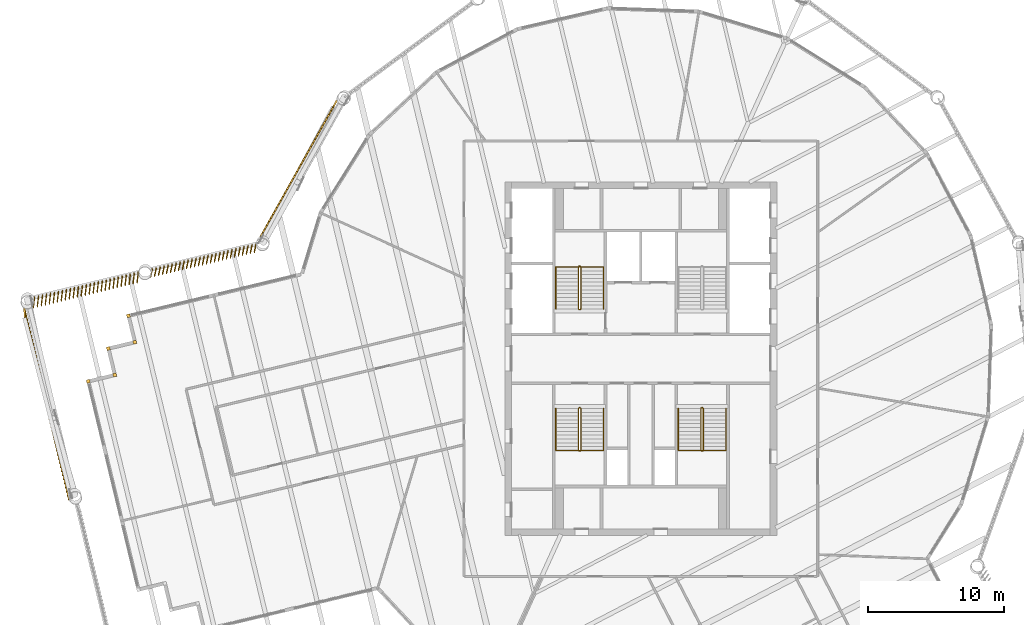
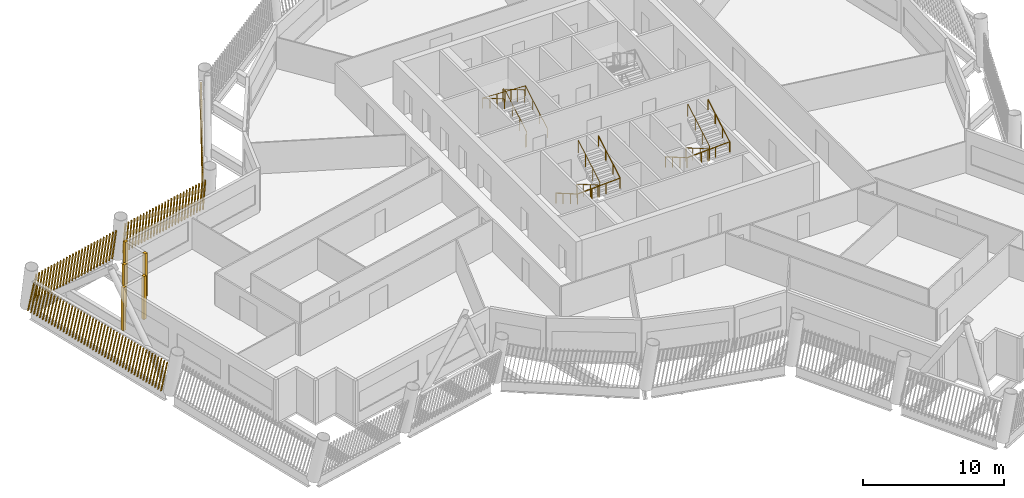
# One storey, part 19 of 22: 9 shading devices, 6 railings.
"""IFC4 building model written with IfcOpenShell, lengths in metres."""

from ifc_helpers import new_model, si_unit, direction, frame, frame_2d, origin, origin_2d, place, context, subcontext, project, spatial, rectangle, circle, composite_profile, extrude, material, type_object, element, save


model = new_model("IFC4")

# Units and contexts
model_context = context("Model", 3, precision=1e-05, world=origin(), true_north=direction((0.0, 1.0)))
body_context = subcontext(model_context, "Body", "Model", "MODEL_VIEW")
ifc_project = project(units=[si_unit("LENGTHUNIT", "METRE"), si_unit("AREAUNIT", "SQUARE_METRE"), si_unit("VOLUMEUNIT", "CUBIC_METRE"), si_unit("PLANEANGLEUNIT", "RADIAN"), si_unit("MASSUNIT", "GRAM", prefix="KILO")], contexts=[model_context])

# Site, building, storey
site_placement = place(None, origin())
site = spatial("IfcSite", under=ifc_project, at=site_placement, CompositionType="ELEMENT")
building_placement = place(site_placement, origin())
building = spatial("IfcBuilding", under=site, at=building_placement, Name="Tarsis Ring Headquarters", CompositionType="ELEMENT")
storey_placement = place(building_placement, frame((0.0, 0.0, 339.199951171875)))
storey = spatial("IfcBuildingStorey", under=building, at=storey_placement, Name="L80", CompositionType="ELEMENT", Elevation=339.199951171875)

# Railings
ifc_material_1 = material(Name="Steel S355", Category="steel")
railing_type_1 = type_object("IfcRailingType", Name="Core stair guard 1100", PredefinedType="GUARDRAIL", material=ifc_material_1)
railing_1_placement = place(storey_placement, frame((-4.5400390625, 3.610107421875, 0.0)))
element("IfcRailing", 1, at=railing_1_placement, inside=storey, type_object=railing_type_1, Name="L80 ST1 stair guard 1", PredefinedType="GUARDRAIL", context=body_context, shape_type="SweptSolid", body=[
    extrude(circle(Radius=0.02392578125, at=origin_2d()), frame((0.0, 0.0, 1.076171875), z_axis=(1.0, 0.0, 0.0), x_axis=(0.0, 1.0, 0.0)), (0.0, 0.0, 1.0), 0.080078125),
    extrude(circle(Radius=0.02392578125, at=origin_2d()), frame((0.080078125, 0.0, 1.076171875), z_axis=(0.282336740067, 0.280959487676, 0.917250092119), x_axis=(-0.705375805398, 0.708833529934, 0.0)), (0.0, 0.0, 1.0), 0.17724609375),
    extrude(circle(Radius=0.02392578125, at=origin_2d()), frame((0.130126953125, 0.0498046875, 1.23876953125), z_axis=(0.0, 0.864920483161, 0.501908913857), x_axis=(-1.0, 0.0, 0.0)), (0.0, 0.0, 1.0), 3.56103515625),
    extrude(circle(Radius=0.02392578125, at=origin_2d()), frame((0.130126953125, 3.1298828125, 3.02587890625), z_axis=(-0.707106781187, 0.707106781187, 0.0), x_axis=(-0.707106781187, -0.707106781187, 0.0)), (0.0, 0.0, 1.0), 0.07080078125),
    extrude(circle(Radius=0.02392578125, at=origin_2d()), frame((0.080078125, 3.179931640625, 3.02587890625), z_axis=(-1.0, 0.0, 0.0), x_axis=(0.0, -1.0, 0.0)), (0.0, 0.0, 1.0), 0.080078125),
    extrude(circle(Radius=0.02392578125, at=origin_2d()), frame((0.0, 3.179931640625, 3.02587890625), z_axis=(-0.282227285176, -0.282227285176, 0.916894497205), x_axis=(0.707106781187, -0.707106781187, 0.0)), (0.0, 0.0, 1.0), 0.17724609375),
    extrude(circle(Radius=0.02392578125, at=origin_2d()), frame((-0.050048828125, 3.1298828125, 3.1884765625), z_axis=(0.0, -0.864890721111, 0.501960198159), x_axis=(1.0, 0.0, 0.0)), (0.0, 0.0, 1.0), 3.561279296875),
    extrude(circle(Radius=0.02099609375, at=origin_2d()), origin(), (0.0, 0.0, 1.0), 1.052001953125),
    extrude(circle(Radius=0.02099609375, at=origin_2d()), frame((0.080078125, 0.0, 0.0)), (0.0, 0.0, 1.0), 1.052001953125),
    extrude(circle(Radius=0.02099609375, at=origin_2d()), frame((0.130126953125, 0.0498046875, 0.16259765625)), (0.0, 0.0, 1.0), 1.052001953125),
    extrude(circle(Radius=0.02099609375, at=origin_2d()), frame((0.130126953125, 1.076416015625, 0.75830078125)), (0.0, 0.0, 1.0), 1.052001953125),
    extrude(circle(Radius=0.02099609375, at=origin_2d()), frame((0.130126953125, 2.103271484375, 1.354248046875)), (0.0, 0.0, 1.0), 1.052001953125),
    extrude(circle(Radius=0.02099609375, at=origin_2d()), frame((0.130126953125, 3.1298828125, 1.949951171875)), (0.0, 0.0, 1.0), 1.052001953125),
    extrude(circle(Radius=0.02099609375, at=origin_2d()), frame((0.080078125, 3.179931640625, 1.949951171875)), (0.0, 0.0, 1.0), 1.052001953125),
    extrude(circle(Radius=0.02099609375, at=origin_2d()), frame((0.0, 3.179931640625, 1.949951171875)), (0.0, 0.0, 1.0), 1.052001953125),
    extrude(circle(Radius=0.02099609375, at=origin_2d()), frame((-0.050048828125, 3.1298828125, 2.112548828125)), (0.0, 0.0, 1.0), 1.052001953125),
    extrude(circle(Radius=0.02099609375, at=origin_2d()), frame((-0.050048828125, 2.103271484375, 2.70849609375)), (0.0, 0.0, 1.0), 1.052001953125),
    extrude(circle(Radius=0.02099609375, at=origin_2d()), frame((-0.050048828125, 1.076416015625, 3.30419921875)), (0.0, 0.0, 1.0), 1.052001953125),
    extrude(circle(Radius=0.02099609375, at=origin_2d()), frame((-0.050048828125, 0.0498046875, 3.900146484375)), (0.0, 0.0, 1.0), 1.052001953125),
])
railing_2_placement = place(storey_placement, frame((-4.4599609375, -3.610107421875, 0.0)))
element("IfcRailing", 2, at=railing_2_placement, inside=storey, type_object=railing_type_1, Name="L80 ST3 stair guard 1", PredefinedType="GUARDRAIL", context=body_context, shape_type="SweptSolid", body=[
    extrude(circle(Radius=0.02392578125, at=origin_2d()), frame((0.0, 0.0, 1.076171875), z_axis=(-1.0, 0.0, 0.0), x_axis=(0.0, -1.0, 0.0)), (0.0, 0.0, 1.0), 0.080078125),
    extrude(circle(Radius=0.02392578125, at=origin_2d()), frame((-0.080078125, 0.0, 1.076171875), z_axis=(-0.282336740067, -0.280959487676, 0.917250092119), x_axis=(0.705375805398, -0.708833529934, 0.0)), (0.0, 0.0, 1.0), 0.17724609375),
    extrude(circle(Radius=0.02392578125, at=origin_2d()), frame((-0.130126953125, -0.0498046875, 1.23876953125), z_axis=(0.0, -0.864920483161, 0.501908913857), x_axis=(1.0, 0.0, 0.0)), (0.0, 0.0, 1.0), 3.56103515625),
    extrude(circle(Radius=0.02392578125, at=origin_2d()), frame((-0.130126953125, -3.1298828125, 3.02587890625), z_axis=(0.707106781187, -0.707106781187, 0.0), x_axis=(0.707106781187, 0.707106781187, 0.0)), (0.0, 0.0, 1.0), 0.07080078125),
    extrude(circle(Radius=0.02392578125, at=origin_2d()), frame((-0.080078125, -3.179931640625, 3.02587890625), z_axis=(1.0, 0.0, 0.0), x_axis=(0.0, 1.0, 0.0)), (0.0, 0.0, 1.0), 0.080078125),
    extrude(circle(Radius=0.02392578125, at=origin_2d()), frame((0.0, -3.179931640625, 3.02587890625), z_axis=(0.282227285176, 0.282227285176, 0.916894497205), x_axis=(-0.707106781187, 0.707106781187, 0.0)), (0.0, 0.0, 1.0), 0.17724609375),
    extrude(circle(Radius=0.02392578125, at=origin_2d()), frame((0.050048828125, -3.1298828125, 3.1884765625), z_axis=(0.0, 0.864890721111, 0.501960198159), x_axis=(-1.0, 0.0, 0.0)), (0.0, 0.0, 1.0), 3.561279296875),
    extrude(circle(Radius=0.02099609375, at=origin_2d()), origin(), (0.0, 0.0, 1.0), 1.052001953125),
    extrude(circle(Radius=0.02099609375, at=origin_2d()), frame((-0.080078125, 0.0, 0.0)), (0.0, 0.0, 1.0), 1.052001953125),
    extrude(circle(Radius=0.02099609375, at=origin_2d()), frame((-0.130126953125, -0.0498046875, 0.16259765625)), (0.0, 0.0, 1.0), 1.052001953125),
    extrude(circle(Radius=0.02099609375, at=origin_2d()), frame((-0.130126953125, -1.076416015625, 0.75830078125)), (0.0, 0.0, 1.0), 1.052001953125),
    extrude(circle(Radius=0.02099609375, at=origin_2d()), frame((-0.130126953125, -2.103271484375, 1.354248046875)), (0.0, 0.0, 1.0), 1.052001953125),
    extrude(circle(Radius=0.02099609375, at=origin_2d()), frame((-0.130126953125, -3.1298828125, 1.949951171875)), (0.0, 0.0, 1.0), 1.052001953125),
    extrude(circle(Radius=0.02099609375, at=origin_2d()), frame((-0.080078125, -3.179931640625, 1.949951171875)), (0.0, 0.0, 1.0), 1.052001953125),
    extrude(circle(Radius=0.02099609375, at=origin_2d()), frame((0.0, -3.179931640625, 1.949951171875)), (0.0, 0.0, 1.0), 1.052001953125),
    extrude(circle(Radius=0.02099609375, at=origin_2d()), frame((0.050048828125, -3.1298828125, 2.112548828125)), (0.0, 0.0, 1.0), 1.052001953125),
    extrude(circle(Radius=0.02099609375, at=origin_2d()), frame((0.050048828125, -2.103271484375, 2.70849609375)), (0.0, 0.0, 1.0), 1.052001953125),
    extrude(circle(Radius=0.02099609375, at=origin_2d()), frame((0.050048828125, -1.076416015625, 3.30419921875)), (0.0, 0.0, 1.0), 1.052001953125),
    extrude(circle(Radius=0.02099609375, at=origin_2d()), frame((0.050048828125, -0.0498046875, 3.900146484375)), (0.0, 0.0, 1.0), 1.052001953125),
])
railing_3_placement = place(storey_placement, frame((4.5400390625, -3.610107421875, 0.0)))
element("IfcRailing", 3, at=railing_3_placement, inside=storey, type_object=railing_type_1, Name="L80 ST4 stair guard 1", PredefinedType="GUARDRAIL", context=body_context, shape_type="SweptSolid", body=[
    extrude(circle(Radius=0.02392578125, at=origin_2d()), frame((0.0, 0.0, 1.076171875), z_axis=(-1.0, 0.0, 0.0), x_axis=(0.0, -1.0, 0.0)), (0.0, 0.0, 1.0), 0.080078125),
    extrude(circle(Radius=0.02392578125, at=origin_2d()), frame((-0.080078125, 0.0, 1.076171875), z_axis=(-0.282336740067, -0.280959487676, 0.917250092119), x_axis=(0.705375805398, -0.708833529934, 0.0)), (0.0, 0.0, 1.0), 0.17724609375),
    extrude(circle(Radius=0.02392578125, at=origin_2d()), frame((-0.130126953125, -0.0498046875, 1.23876953125), z_axis=(0.0, -0.864920483161, 0.501908913857), x_axis=(1.0, 0.0, 0.0)), (0.0, 0.0, 1.0), 3.56103515625),
    extrude(circle(Radius=0.02392578125, at=origin_2d()), frame((-0.130126953125, -3.1298828125, 3.02587890625), z_axis=(0.707106781187, -0.707106781187, 0.0), x_axis=(0.707106781187, 0.707106781187, 0.0)), (0.0, 0.0, 1.0), 0.07080078125),
    extrude(circle(Radius=0.02392578125, at=origin_2d()), frame((-0.080078125, -3.179931640625, 3.02587890625), z_axis=(1.0, 0.0, 0.0), x_axis=(0.0, 1.0, 0.0)), (0.0, 0.0, 1.0), 0.080078125),
    extrude(circle(Radius=0.02392578125, at=origin_2d()), frame((0.0, -3.179931640625, 3.02587890625), z_axis=(0.282227285176, 0.282227285176, 0.916894497205), x_axis=(-0.707106781187, 0.707106781187, 0.0)), (0.0, 0.0, 1.0), 0.17724609375),
    extrude(circle(Radius=0.02392578125, at=origin_2d()), frame((0.050048828125, -3.1298828125, 3.1884765625), z_axis=(0.0, 0.864890721111, 0.501960198159), x_axis=(-1.0, 0.0, 0.0)), (0.0, 0.0, 1.0), 3.561279296875),
    extrude(circle(Radius=0.02099609375, at=origin_2d()), origin(), (0.0, 0.0, 1.0), 1.052001953125),
    extrude(circle(Radius=0.02099609375, at=origin_2d()), frame((-0.080078125, 0.0, 0.0)), (0.0, 0.0, 1.0), 1.052001953125),
    extrude(circle(Radius=0.02099609375, at=origin_2d()), frame((-0.130126953125, -0.0498046875, 0.16259765625)), (0.0, 0.0, 1.0), 1.052001953125),
    extrude(circle(Radius=0.02099609375, at=origin_2d()), frame((-0.130126953125, -1.076416015625, 0.75830078125)), (0.0, 0.0, 1.0), 1.052001953125),
    extrude(circle(Radius=0.02099609375, at=origin_2d()), frame((-0.130126953125, -2.103271484375, 1.354248046875)), (0.0, 0.0, 1.0), 1.052001953125),
    extrude(circle(Radius=0.02099609375, at=origin_2d()), frame((-0.130126953125, -3.1298828125, 1.949951171875)), (0.0, 0.0, 1.0), 1.052001953125),
    extrude(circle(Radius=0.02099609375, at=origin_2d()), frame((-0.080078125, -3.179931640625, 1.949951171875)), (0.0, 0.0, 1.0), 1.052001953125),
    extrude(circle(Radius=0.02099609375, at=origin_2d()), frame((0.0, -3.179931640625, 1.949951171875)), (0.0, 0.0, 1.0), 1.052001953125),
    extrude(circle(Radius=0.02099609375, at=origin_2d()), frame((0.050048828125, -3.1298828125, 2.112548828125)), (0.0, 0.0, 1.0), 1.052001953125),
    extrude(circle(Radius=0.02099609375, at=origin_2d()), frame((0.050048828125, -2.103271484375, 2.70849609375)), (0.0, 0.0, 1.0), 1.052001953125),
    extrude(circle(Radius=0.02099609375, at=origin_2d()), frame((0.050048828125, -1.076416015625, 3.30419921875)), (0.0, 0.0, 1.0), 1.052001953125),
    extrude(circle(Radius=0.02099609375, at=origin_2d()), frame((0.050048828125, -0.0498046875, 3.900146484375)), (0.0, 0.0, 1.0), 1.052001953125),
])
railing_type_2 = type_object("IfcRailingType", Name="Core stair handrail 900", PredefinedType="HANDRAIL", material=ifc_material_1)
railing_4_placement = place(storey_placement, frame((-2.75, 3.659912109375, 0.16259765625)))
element("IfcRailing", 4, at=railing_4_placement, inside=storey, type_object=railing_type_2, Name="L80 ST1 stair handrail 1", PredefinedType="HANDRAIL", context=body_context, shape_type="SweptSolid", body=[
    extrude(circle(Radius=0.02392578125, at=origin_2d()), frame((0.0, 0.0, 0.8759765625), z_axis=(0.0, 0.864920483161, 0.501908913857), x_axis=(-1.0, 0.0, 0.0)), (0.0, 0.0, 1.0), 3.56103515625),
    extrude(circle(Radius=0.02392578125, at=origin_2d()), frame((0.0, 3.080078125, 2.6630859375), z_axis=(-0.998922641604, 0.0, 0.046406422943), x_axis=(0.0, -1.0, 0.0)), (0.0, 0.0, 1.0), 3.503662109375),
    extrude(circle(Radius=0.02392578125, at=origin_2d()), frame((-3.5, 3.080078125, 2.82568359375), z_axis=(0.0, -0.864890721111, 0.501960198159), x_axis=(1.0, 0.0, 0.0)), (0.0, 0.0, 1.0), 3.561279296875),
    extrude(circle(Radius=0.02099609375, at=origin_2d()), origin(), (0.0, 0.0, 1.0), 0.851806640625),
    extrude(circle(Radius=0.02099609375, at=origin_2d()), frame((0.0, 1.026611328125, 0.595703125)), (0.0, 0.0, 1.0), 0.851806640625),
    extrude(circle(Radius=0.02099609375, at=origin_2d()), frame((0.0, 2.053466796875, 1.191650390625)), (0.0, 0.0, 1.0), 0.851806640625),
    extrude(circle(Radius=0.02099609375, at=origin_2d()), frame((0.0, 3.080078125, 1.787353515625)), (0.0, 0.0, 1.0), 0.851806640625),
    extrude(circle(Radius=0.02099609375, at=origin_2d()), frame((-1.166748046875, 3.080078125, 1.841552734375)), (0.0, 0.0, 1.0), 0.851806640625),
    extrude(circle(Radius=0.02099609375, at=origin_2d()), frame((-2.333251953125, 3.080078125, 1.895751953125)), (0.0, 0.0, 1.0), 0.851806640625),
    extrude(circle(Radius=0.02099609375, at=origin_2d()), frame((-3.5, 3.080078125, 1.949951171875)), (0.0, 0.0, 1.0), 0.851806640625),
    extrude(circle(Radius=0.02099609375, at=origin_2d()), frame((-3.5, 2.053466796875, 2.5458984375)), (0.0, 0.0, 1.0), 0.851806640625),
    extrude(circle(Radius=0.02099609375, at=origin_2d()), frame((-3.5, 1.026611328125, 3.1416015625)), (0.0, 0.0, 1.0), 0.851806640625),
    extrude(circle(Radius=0.02099609375, at=origin_2d()), frame((-3.5, 0.0, 3.737548828125)), (0.0, 0.0, 1.0), 0.851806640625),
])
railing_5_placement = place(storey_placement, frame((-6.25, -3.659912109375, 0.16259765625)))
element("IfcRailing", 5, at=railing_5_placement, inside=storey, type_object=railing_type_2, Name="L80 ST3 stair handrail 1", PredefinedType="HANDRAIL", context=body_context, shape_type="SweptSolid", body=[
    extrude(circle(Radius=0.02392578125, at=origin_2d()), frame((0.0, 0.0, 0.8759765625), z_axis=(0.0, -0.864920483161, 0.501908913857), x_axis=(1.0, 0.0, 0.0)), (0.0, 0.0, 1.0), 3.56103515625),
    extrude(circle(Radius=0.02392578125, at=origin_2d()), frame((0.0, -3.080078125, 2.6630859375), z_axis=(0.998922641604, 0.0, 0.046406422943), x_axis=(0.0, 1.0, 0.0)), (0.0, 0.0, 1.0), 3.503662109375),
    extrude(circle(Radius=0.02392578125, at=origin_2d()), frame((3.5, -3.080078125, 2.82568359375), z_axis=(0.0, 0.864890721111, 0.501960198159), x_axis=(-1.0, 0.0, 0.0)), (0.0, 0.0, 1.0), 3.561279296875),
    extrude(circle(Radius=0.02099609375, at=origin_2d()), origin(), (0.0, 0.0, 1.0), 0.851806640625),
    extrude(circle(Radius=0.02099609375, at=origin_2d()), frame((0.0, -1.026611328125, 0.595703125)), (0.0, 0.0, 1.0), 0.851806640625),
    extrude(circle(Radius=0.02099609375, at=origin_2d()), frame((0.0, -2.053466796875, 1.191650390625)), (0.0, 0.0, 1.0), 0.851806640625),
    extrude(circle(Radius=0.02099609375, at=origin_2d()), frame((0.0, -3.080078125, 1.787353515625)), (0.0, 0.0, 1.0), 0.851806640625),
    extrude(circle(Radius=0.02099609375, at=origin_2d()), frame((1.166748046875, -3.080078125, 1.841552734375)), (0.0, 0.0, 1.0), 0.851806640625),
    extrude(circle(Radius=0.02099609375, at=origin_2d()), frame((2.333251953125, -3.080078125, 1.895751953125)), (0.0, 0.0, 1.0), 0.851806640625),
    extrude(circle(Radius=0.02099609375, at=origin_2d()), frame((3.5, -3.080078125, 1.949951171875)), (0.0, 0.0, 1.0), 0.851806640625),
    extrude(circle(Radius=0.02099609375, at=origin_2d()), frame((3.5, -2.053466796875, 2.5458984375)), (0.0, 0.0, 1.0), 0.851806640625),
    extrude(circle(Radius=0.02099609375, at=origin_2d()), frame((3.5, -1.026611328125, 3.1416015625)), (0.0, 0.0, 1.0), 0.851806640625),
    extrude(circle(Radius=0.02099609375, at=origin_2d()), frame((3.5, 0.0, 3.737548828125)), (0.0, 0.0, 1.0), 0.851806640625),
])
railing_6_placement = place(storey_placement, frame((2.75, -3.659912109375, 0.16259765625)))
element("IfcRailing", 6, at=railing_6_placement, inside=storey, type_object=railing_type_2, Name="L80 ST4 stair handrail 1", PredefinedType="HANDRAIL", context=body_context, shape_type="SweptSolid", body=[
    extrude(circle(Radius=0.02392578125, at=origin_2d()), frame((0.0, 0.0, 0.8759765625), z_axis=(0.0, -0.864920483161, 0.501908913857), x_axis=(1.0, 0.0, 0.0)), (0.0, 0.0, 1.0), 3.56103515625),
    extrude(circle(Radius=0.02392578125, at=origin_2d()), frame((0.0, -3.080078125, 2.6630859375), z_axis=(0.998922641604, 0.0, 0.046406422943), x_axis=(0.0, 1.0, 0.0)), (0.0, 0.0, 1.0), 3.503662109375),
    extrude(circle(Radius=0.02392578125, at=origin_2d()), frame((3.5, -3.080078125, 2.82568359375), z_axis=(0.0, 0.864890721111, 0.501960198159), x_axis=(-1.0, 0.0, 0.0)), (0.0, 0.0, 1.0), 3.561279296875),
    extrude(circle(Radius=0.02099609375, at=origin_2d()), origin(), (0.0, 0.0, 1.0), 0.851806640625),
    extrude(circle(Radius=0.02099609375, at=origin_2d()), frame((0.0, -1.026611328125, 0.595703125)), (0.0, 0.0, 1.0), 0.851806640625),
    extrude(circle(Radius=0.02099609375, at=origin_2d()), frame((0.0, -2.053466796875, 1.191650390625)), (0.0, 0.0, 1.0), 0.851806640625),
    extrude(circle(Radius=0.02099609375, at=origin_2d()), frame((0.0, -3.080078125, 1.787353515625)), (0.0, 0.0, 1.0), 0.851806640625),
    extrude(circle(Radius=0.02099609375, at=origin_2d()), frame((1.166748046875, -3.080078125, 1.841552734375)), (0.0, 0.0, 1.0), 0.851806640625),
    extrude(circle(Radius=0.02099609375, at=origin_2d()), frame((2.333251953125, -3.080078125, 1.895751953125)), (0.0, 0.0, 1.0), 0.851806640625),
    extrude(circle(Radius=0.02099609375, at=origin_2d()), frame((3.5, -3.080078125, 1.949951171875)), (0.0, 0.0, 1.0), 0.851806640625),
    extrude(circle(Radius=0.02099609375, at=origin_2d()), frame((3.5, -2.053466796875, 2.5458984375)), (0.0, 0.0, 1.0), 0.851806640625),
    extrude(circle(Radius=0.02099609375, at=origin_2d()), frame((3.5, -1.026611328125, 3.1416015625)), (0.0, 0.0, 1.0), 0.851806640625),
    extrude(circle(Radius=0.02099609375, at=origin_2d()), frame((3.5, 0.0, 3.737548828125)), (0.0, 0.0, 1.0), 0.851806640625),
])

# Shading devices
ifc_material_2 = material(Name="Terracotta baguette", Category="masonry")
shading_device_type_1 = type_object("IfcShadingDeviceType", Name="Terracotta baguette screen", PredefinedType="USERDEFINED", material=ifc_material_2)
shading_device_1_placement = place(storey_placement, frame((-22.34375, 18.977294921875, 0.0), z_axis=(0.0, 0.0, 1.0), x_axis=(-0.489093868692, -0.872230059685, 0.0)))
element("IfcShadingDevice", 7, at=shading_device_1_placement, inside=storey, type_object=shading_device_type_1, Name="Baguette screen L80-14", ObjectType="Terracotta baguette screen", PredefinedType="USERDEFINED", context=body_context, shape_type="SweptSolid", body=[
    extrude(composite_profile([rectangle(XDim=0.06005859375, YDim=0.1201171875, at=frame_2d((0.030029296875, 0.0))), rectangle(XDim=0.06005859375, YDim=0.1201171875, at=frame_2d((0.33251953125, 0.0))), rectangle(XDim=0.06005859375, YDim=0.1201171875, at=frame_2d((0.634765625, 0.0))), rectangle(XDim=0.06005859375, YDim=0.1201171875, at=frame_2d((0.937255859375, 0.0))), rectangle(XDim=0.06005859375, YDim=0.1201171875, at=frame_2d((1.239501953125, 0.0))), rectangle(XDim=0.06005859375, YDim=0.1201171875, at=frame_2d((1.5419921875, 0.0))), rectangle(XDim=0.06005859375, YDim=0.1201171875, at=frame_2d((1.844482421875, 0.0))), rectangle(XDim=0.06005859375, YDim=0.1201171875, at=frame_2d((2.146728515625, 0.0))), rectangle(XDim=0.06005859375, YDim=0.1201171875, at=frame_2d((2.44921875, 0.0))), rectangle(XDim=0.06005859375, YDim=0.1201171875, at=frame_2d((2.751708984375, 0.0))), rectangle(XDim=0.06005859375, YDim=0.1201171875, at=frame_2d((3.053955078125, 0.0))), rectangle(XDim=0.06005859375, YDim=0.1201171875, at=frame_2d((3.3564453125, 0.0))), rectangle(XDim=0.06005859375, YDim=0.1201171875, at=frame_2d((3.65869140625, 0.0))), rectangle(XDim=0.06005859375, YDim=0.1201171875, at=frame_2d((3.961181640625, 0.0))), rectangle(XDim=0.06005859375, YDim=0.1201171875, at=frame_2d((4.263671875, 0.0))), rectangle(XDim=0.06005859375, YDim=0.1201171875, at=frame_2d((4.56591796875, 0.0))), rectangle(XDim=0.06005859375, YDim=0.1201171875, at=frame_2d((4.868408203125, 0.0))), rectangle(XDim=0.06005859375, YDim=0.1201171875, at=frame_2d((5.1708984375, 0.0))), rectangle(XDim=0.06005859375, YDim=0.1201171875, at=frame_2d((5.47314453125, 0.0))), rectangle(XDim=0.06005859375, YDim=0.1201171875, at=frame_2d((5.775634765625, 0.0))), rectangle(XDim=0.06005859375, YDim=0.1201171875, at=frame_2d((6.077880859375, 0.0))), rectangle(XDim=0.06005859375, YDim=0.1201171875, at=frame_2d((6.38037109375, 0.0))), rectangle(XDim=0.06005859375, YDim=0.1201171875, at=frame_2d((6.682861328125, 0.0))), rectangle(XDim=0.06005859375, YDim=0.1201171875, at=frame_2d((6.985107421875, 0.0))), rectangle(XDim=0.06005859375, YDim=0.1201171875, at=frame_2d((7.28759765625, 0.0))), rectangle(XDim=0.06005859375, YDim=0.1201171875, at=frame_2d((7.590087890625, 0.0))), rectangle(XDim=0.06005859375, YDim=0.1201171875, at=frame_2d((7.892333984375, 0.0))), rectangle(XDim=0.06005859375, YDim=0.1201171875, at=frame_2d((8.19482421875, 0.0))), rectangle(XDim=0.06005859375, YDim=0.1201171875, at=frame_2d((8.4970703125, 0.0))), rectangle(XDim=0.06005859375, YDim=0.1201171875, at=frame_2d((8.799560546875, 0.0))), rectangle(XDim=0.06005859375, YDim=0.1201171875, at=frame_2d((9.10205078125, 0.0))), rectangle(XDim=0.06005859375, YDim=0.1201171875, at=frame_2d((9.404296875, 0.0))), rectangle(XDim=0.06005859375, YDim=0.1201171875, at=frame_2d((9.706787109375, 0.0))), rectangle(XDim=0.06005859375, YDim=0.1201171875, at=frame_2d((10.00927734375, 0.0))), rectangle(XDim=0.06005859375, YDim=0.1201171875, at=frame_2d((10.3115234375, 0.0))), rectangle(XDim=0.06005859375, YDim=0.1201171875, at=frame_2d((10.614013671875, 0.0))), rectangle(XDim=0.06005859375, YDim=0.1201171875, at=frame_2d((10.916259765625, 0.0))), rectangle(XDim=0.06005859375, YDim=0.1201171875, at=frame_2d((11.21875, 0.0)))]), origin(), (0.173293517803, 0.001572076721, 0.984868968575), 3.013427734375),
])
shading_device_2_placement = place(storey_placement, frame((-28.2490234375, 8.429443359375, 0.0), z_axis=(0.0, 0.0, 1.0), x_axis=(-0.97228744439, -0.233780276817, 0.0)))
element("IfcShadingDevice", 8, at=shading_device_2_placement, inside=storey, type_object=shading_device_type_1, Name="Baguette screen L80-15", ObjectType="Terracotta baguette screen", PredefinedType="USERDEFINED", context=body_context, shape_type="SweptSolid", body=[
    extrude(composite_profile([rectangle(XDim=0.06005859375, YDim=0.1201171875, at=frame_2d((0.030029296875, 0.0))), rectangle(XDim=0.06005859375, YDim=0.1201171875, at=frame_2d((0.33154296875, 0.0))), rectangle(XDim=0.06005859375, YDim=0.1201171875, at=frame_2d((0.63330078125, 0.0))), rectangle(XDim=0.06005859375, YDim=0.1201171875, at=frame_2d((0.934814453125, 0.0))), rectangle(XDim=0.06005859375, YDim=0.1201171875, at=frame_2d((1.236572265625, 0.0))), rectangle(XDim=0.06005859375, YDim=0.1201171875, at=frame_2d((1.5380859375, 0.0))), rectangle(XDim=0.06005859375, YDim=0.1201171875, at=frame_2d((1.83984375, 0.0))), rectangle(XDim=0.06005859375, YDim=0.1201171875, at=frame_2d((2.141357421875, 0.0))), rectangle(XDim=0.06005859375, YDim=0.1201171875, at=frame_2d((2.443115234375, 0.0))), rectangle(XDim=0.06005859375, YDim=0.1201171875, at=frame_2d((2.74462890625, 0.0))), rectangle(XDim=0.06005859375, YDim=0.1201171875, at=frame_2d((3.04638671875, 0.0))), rectangle(XDim=0.06005859375, YDim=0.1201171875, at=frame_2d((3.347900390625, 0.0))), rectangle(XDim=0.06005859375, YDim=0.1201171875, at=frame_2d((3.649658203125, 0.0))), rectangle(XDim=0.06005859375, YDim=0.1201171875, at=frame_2d((3.951171875, 0.0))), rectangle(XDim=0.06005859375, YDim=0.1201171875, at=frame_2d((4.252685546875, 0.0))), rectangle(XDim=0.06005859375, YDim=0.1201171875, at=frame_2d((4.554443359375, 0.0))), rectangle(XDim=0.06005859375, YDim=0.1201171875, at=frame_2d((4.85595703125, 0.0))), rectangle(XDim=0.06005859375, YDim=0.1201171875, at=frame_2d((5.15771484375, 0.0))), rectangle(XDim=0.06005859375, YDim=0.1201171875, at=frame_2d((5.459228515625, 0.0))), rectangle(XDim=0.06005859375, YDim=0.1201171875, at=frame_2d((5.760986328125, 0.0))), rectangle(XDim=0.06005859375, YDim=0.1201171875, at=frame_2d((6.0625, 0.0))), rectangle(XDim=0.06005859375, YDim=0.1201171875, at=frame_2d((6.3642578125, 0.0))), rectangle(XDim=0.06005859375, YDim=0.1201171875, at=frame_2d((6.665771484375, 0.0))), rectangle(XDim=0.06005859375, YDim=0.1201171875, at=frame_2d((6.967529296875, 0.0))), rectangle(XDim=0.06005859375, YDim=0.1201171875, at=frame_2d((7.26904296875, 0.0))), rectangle(XDim=0.06005859375, YDim=0.1201171875, at=frame_2d((7.57080078125, 0.0))), rectangle(XDim=0.06005859375, YDim=0.1201171875, at=frame_2d((7.872314453125, 0.0)))]), origin(), (0.087126638075, 0.177345584602, 0.980284393714), 3.02734375),
])
shading_device_3_placement = place(storey_placement, frame((-36.904541015625, 6.34814453125, 0.0), z_axis=(0.0, 0.0, 1.0), x_axis=(-0.97228744439, -0.233780276817, 0.0)))
element("IfcShadingDevice", 9, at=shading_device_3_placement, inside=storey, type_object=shading_device_type_1, Name="Baguette screen L80-16", ObjectType="Terracotta baguette screen", PredefinedType="USERDEFINED", context=body_context, shape_type="SweptSolid", body=[
    extrude(composite_profile([rectangle(XDim=0.06005859375, YDim=0.1201171875, at=frame_2d((0.030029296875, 0.0))), rectangle(XDim=0.06005859375, YDim=0.1201171875, at=frame_2d((0.33154296875, 0.0))), rectangle(XDim=0.06005859375, YDim=0.1201171875, at=frame_2d((0.63330078125, 0.0))), rectangle(XDim=0.06005859375, YDim=0.1201171875, at=frame_2d((0.934814453125, 0.0))), rectangle(XDim=0.06005859375, YDim=0.1201171875, at=frame_2d((1.236572265625, 0.0))), rectangle(XDim=0.06005859375, YDim=0.1201171875, at=frame_2d((1.5380859375, 0.0))), rectangle(XDim=0.06005859375, YDim=0.1201171875, at=frame_2d((1.83984375, 0.0))), rectangle(XDim=0.06005859375, YDim=0.1201171875, at=frame_2d((2.141357421875, 0.0))), rectangle(XDim=0.06005859375, YDim=0.1201171875, at=frame_2d((2.443115234375, 0.0))), rectangle(XDim=0.06005859375, YDim=0.1201171875, at=frame_2d((2.74462890625, 0.0))), rectangle(XDim=0.06005859375, YDim=0.1201171875, at=frame_2d((3.04638671875, 0.0))), rectangle(XDim=0.06005859375, YDim=0.1201171875, at=frame_2d((3.347900390625, 0.0))), rectangle(XDim=0.06005859375, YDim=0.1201171875, at=frame_2d((3.649658203125, 0.0))), rectangle(XDim=0.06005859375, YDim=0.1201171875, at=frame_2d((3.951171875, 0.0))), rectangle(XDim=0.06005859375, YDim=0.1201171875, at=frame_2d((4.252685546875, 0.0))), rectangle(XDim=0.06005859375, YDim=0.1201171875, at=frame_2d((4.554443359375, 0.0))), rectangle(XDim=0.06005859375, YDim=0.1201171875, at=frame_2d((4.85595703125, 0.0))), rectangle(XDim=0.06005859375, YDim=0.1201171875, at=frame_2d((5.15771484375, 0.0))), rectangle(XDim=0.06005859375, YDim=0.1201171875, at=frame_2d((5.459228515625, 0.0))), rectangle(XDim=0.06005859375, YDim=0.1201171875, at=frame_2d((5.760986328125, 0.0))), rectangle(XDim=0.06005859375, YDim=0.1201171875, at=frame_2d((6.0625, 0.0))), rectangle(XDim=0.06005859375, YDim=0.1201171875, at=frame_2d((6.3642578125, 0.0))), rectangle(XDim=0.06005859375, YDim=0.1201171875, at=frame_2d((6.665771484375, 0.0))), rectangle(XDim=0.06005859375, YDim=0.1201171875, at=frame_2d((6.967529296875, 0.0))), rectangle(XDim=0.06005859375, YDim=0.1201171875, at=frame_2d((7.26904296875, 0.0))), rectangle(XDim=0.06005859375, YDim=0.1201171875, at=frame_2d((7.57080078125, 0.0))), rectangle(XDim=0.06005859375, YDim=0.1201171875, at=frame_2d((7.872314453125, 0.0)))]), origin(), (0.085717424967, 0.228254044848, 0.969820918555), 3.06005859375),
])
shading_device_4_placement = place(storey_placement, frame((-45.32177734375, 3.81005859375, 0.0), z_axis=(0.0, 0.0, 1.0), x_axis=(0.233794494374, -0.972294954356, 0.0)))
element("IfcShadingDevice", 10, at=shading_device_4_placement, inside=storey, type_object=shading_device_type_1, Name="Baguette screen L80-17", ObjectType="Terracotta baguette screen", PredefinedType="USERDEFINED", context=body_context, shape_type="SweptSolid", body=[
    extrude(composite_profile([rectangle(XDim=0.06005859375, YDim=0.1201171875, at=frame_2d((0.030029296875, 0.0))), rectangle(XDim=0.06005859375, YDim=0.1201171875, at=frame_2d((0.33544921875, 0.0))), rectangle(XDim=0.06005859375, YDim=0.1201171875, at=frame_2d((0.640625, 0.0))), rectangle(XDim=0.06005859375, YDim=0.1201171875, at=frame_2d((0.946044921875, 0.0))), rectangle(XDim=0.06005859375, YDim=0.1201171875, at=frame_2d((1.25146484375, 0.0))), rectangle(XDim=0.06005859375, YDim=0.1201171875, at=frame_2d((1.556640625, 0.0))), rectangle(XDim=0.06005859375, YDim=0.1201171875, at=frame_2d((1.862060546875, 0.0))), rectangle(XDim=0.06005859375, YDim=0.1201171875, at=frame_2d((2.16748046875, 0.0))), rectangle(XDim=0.06005859375, YDim=0.1201171875, at=frame_2d((2.47265625, 0.0))), rectangle(XDim=0.06005859375, YDim=0.1201171875, at=frame_2d((2.778076171875, 0.0))), rectangle(XDim=0.06005859375, YDim=0.1201171875, at=frame_2d((3.08349609375, 0.0))), rectangle(XDim=0.06005859375, YDim=0.1201171875, at=frame_2d((3.388671875, 0.0))), rectangle(XDim=0.06005859375, YDim=0.1201171875, at=frame_2d((3.694091796875, 0.0))), rectangle(XDim=0.06005859375, YDim=0.1201171875, at=frame_2d((3.99951171875, 0.0))), rectangle(XDim=0.06005859375, YDim=0.1201171875, at=frame_2d((4.3046875, 0.0))), rectangle(XDim=0.06005859375, YDim=0.1201171875, at=frame_2d((4.610107421875, 0.0))), rectangle(XDim=0.06005859375, YDim=0.1201171875, at=frame_2d((4.91552734375, 0.0))), rectangle(XDim=0.06005859375, YDim=0.1201171875, at=frame_2d((5.220703125, 0.0))), rectangle(XDim=0.06005859375, YDim=0.1201171875, at=frame_2d((5.526123046875, 0.0))), rectangle(XDim=0.06005859375, YDim=0.1201171875, at=frame_2d((5.83154296875, 0.0))), rectangle(XDim=0.06005859375, YDim=0.1201171875, at=frame_2d((6.13671875, 0.0))), rectangle(XDim=0.06005859375, YDim=0.1201171875, at=frame_2d((6.442138671875, 0.0))), rectangle(XDim=0.06005859375, YDim=0.1201171875, at=frame_2d((6.74755859375, 0.0))), rectangle(XDim=0.06005859375, YDim=0.1201171875, at=frame_2d((7.052734375, 0.0))), rectangle(XDim=0.06005859375, YDim=0.1201171875, at=frame_2d((7.358154296875, 0.0))), rectangle(XDim=0.06005859375, YDim=0.1201171875, at=frame_2d((7.66357421875, 0.0))), rectangle(XDim=0.06005859375, YDim=0.1201171875, at=frame_2d((7.96875, 0.0))), rectangle(XDim=0.06005859375, YDim=0.1201171875, at=frame_2d((8.274169921875, 0.0))), rectangle(XDim=0.06005859375, YDim=0.1201171875, at=frame_2d((8.57958984375, 0.0))), rectangle(XDim=0.06005859375, YDim=0.1201171875, at=frame_2d((8.884765625, 0.0))), rectangle(XDim=0.06005859375, YDim=0.1201171875, at=frame_2d((9.190185546875, 0.0))), rectangle(XDim=0.06005859375, YDim=0.1201171875, at=frame_2d((9.49560546875, 0.0))), rectangle(XDim=0.06005859375, YDim=0.1201171875, at=frame_2d((9.80078125, 0.0))), rectangle(XDim=0.06005859375, YDim=0.1201171875, at=frame_2d((10.106201171875, 0.0))), rectangle(XDim=0.06005859375, YDim=0.1201171875, at=frame_2d((10.41162109375, 0.0))), rectangle(XDim=0.06005859375, YDim=0.1201171875, at=frame_2d((10.716796875, 0.0))), rectangle(XDim=0.06005859375, YDim=0.1201171875, at=frame_2d((11.022216796875, 0.0))), rectangle(XDim=0.06005859375, YDim=0.1201171875, at=frame_2d((11.32763671875, 0.0))), rectangle(XDim=0.06005859375, YDim=0.1201171875, at=frame_2d((11.6328125, 0.0))), rectangle(XDim=0.06005859375, YDim=0.1201171875, at=frame_2d((11.938232421875, 0.0))), rectangle(XDim=0.06005859375, YDim=0.1201171875, at=frame_2d((12.24365234375, 0.0))), rectangle(XDim=0.06005859375, YDim=0.1201171875, at=frame_2d((12.548828125, 0.0))), rectangle(XDim=0.06005859375, YDim=0.1201171875, at=frame_2d((12.854248046875, 0.0))), rectangle(XDim=0.06005859375, YDim=0.1201171875, at=frame_2d((13.15966796875, 0.0))), rectangle(XDim=0.06005859375, YDim=0.1201171875, at=frame_2d((13.46484375, 0.0))), rectangle(XDim=0.06005859375, YDim=0.1201171875, at=frame_2d((13.770263671875, 0.0)))]), origin(), (0.255455006079, -0.0414031166, 0.965934015244), 3.072509765625),
])
shading_device_type_2 = type_object("IfcShadingDeviceType", Name="Terracotta corner baguette 250x250", PredefinedType="USERDEFINED", material=ifc_material_2)
for number, where, z_axis, x_axis, name in (
    (11, (-37.656982421875, 3.158935546875, 0.0), (0.0, 0.0, 1.0), (-0.972288369274, -0.23378478773, 0.0), "Corner baguette L80-32"),
    (12, (-37.189453125, 1.21435546875, 0.0), (0.0, 0.0, 1.0), (0.233784957426, -0.972288328471, 0.0), "Corner baguette L80-33"),
    (13, (-39.134033203125, 0.746826171875, 0.0), (0.0, 0.0, 1.0), (-0.972288328471, -0.233784957426, 0.0), "Corner baguette L80-34"),
    (14, (-38.66650390625, -1.19775390625, 0.0), (0.0, 0.0, 1.0), (0.233785076213, -0.972288299909, 0.0), "Corner baguette L80-35"),
    (15, (-40.611083984375, -1.665283203125, 0.0), (0.0, 0.0, 1.0), (-0.972288328471, -0.233784957426, 0.0), "Corner baguette L80-36"),
):
    element("IfcShadingDevice", number, at=place(storey_placement, frame(where, z_axis=z_axis, x_axis=x_axis)), inside=storey, type_object=shading_device_type_2, Name=name, ObjectType="Terracotta corner baguette", PredefinedType="USERDEFINED", context=body_context, shape_type="SweptSolid", body=[
        extrude(rectangle(XDim=0.25, YDim=0.25, at=origin_2d()), origin(), (0.0, 0.0, 1.0), 3.739990234375),
    ])

save(model, "model.ifc")
